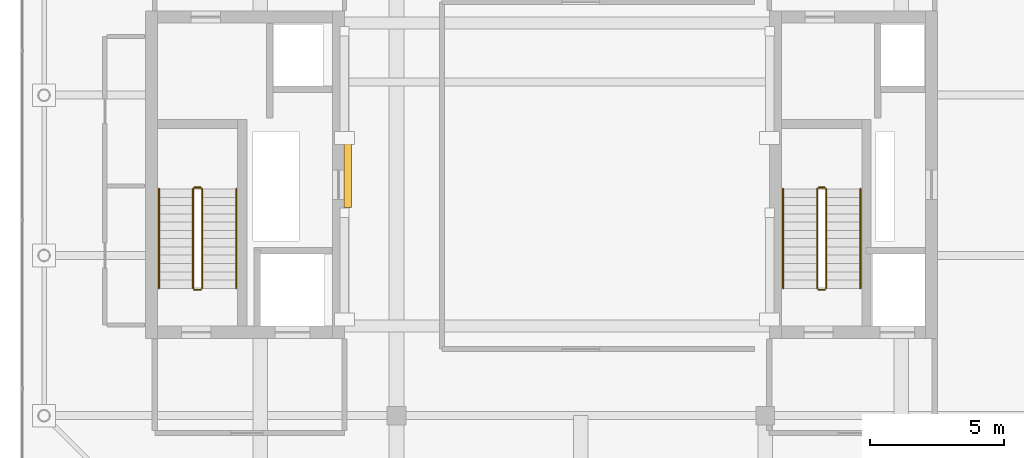
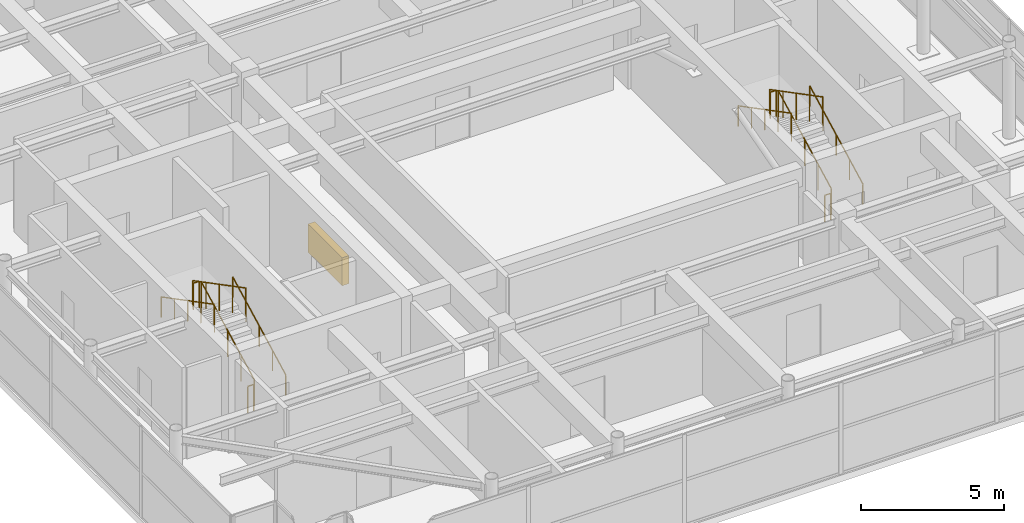
# One storey, part 32 of 32: 12 railings, 1 shading device.
"""IFC4 building model written with IfcOpenShell, lengths in metres."""

from ifc_helpers import new_model, si_unit, direction, frame, origin, origin_2d, place, context, subcontext, project, spatial, rectangle, circle, extrude, source, transform, mapped, material, layer, layer_set, type_object, element, save


model = new_model("IFC4")

# Units and contexts
model_context = context("Model", 3, precision=1e-05, world=origin(), true_north=direction((0.0, 1.0)))
body_context = subcontext(model_context, "Body", "Model", "MODEL_VIEW")
ifc_project = project(units=[si_unit("LENGTHUNIT", "METRE"), si_unit("AREAUNIT", "SQUARE_METRE"), si_unit("VOLUMEUNIT", "CUBIC_METRE"), si_unit("PLANEANGLEUNIT", "RADIAN"), si_unit("MASSUNIT", "GRAM", prefix="KILO")], contexts=[model_context])

# Site, building, storey
site_placement = place(None, origin())
site = spatial("IfcSite", under=ifc_project, at=site_placement, CompositionType="ELEMENT")
building_placement = place(site_placement, origin())
building = spatial("IfcBuilding", under=site, at=building_placement, Name="Khoralis Quay Care Tower", CompositionType="ELEMENT")
storey_placement = place(building_placement, frame((0.0, 0.0, 293.699951171875)))
storey = spatial("IfcBuildingStorey", under=building, at=storey_placement, Name="L77", CompositionType="ELEMENT", Elevation=293.699951171875)

# Railings
ifc_material_1 = material(Name="Brushed stainless steel", Category="steel")
railing_type_1 = type_object("IfcRailingType", Name="RL-GUARD-1150", PredefinedType="GUARDRAIL", material=ifc_material_1)
railing_1_placement = place(storey_placement, frame((9.820068359375, 16.77001953125, 0.16162109375)))
element("IfcRailing", 1, at=railing_1_placement, inside=storey, type_object=railing_type_1, Name="L77 ST-T1 stair guard 1", PredefinedType="GUARDRAIL", context=body_context, shape_type="SweptSolid", body=[
    extrude(circle(Radius=0.02392578125, at=origin_2d()), frame((0.0, 0.0, 1.1259765625), z_axis=(0.0, 0.886817194535, 0.462120399331), x_axis=(-1.0, 0.0, 0.0)), (0.0, 0.0, 1.0), 4.19482421875),
    extrude(circle(Radius=0.02099609375, at=origin_2d()), origin(), (0.0, 0.0, 1.0), 1.101806640625),
    extrude(circle(Radius=0.02099609375, at=origin_2d()), frame((0.0, 0.929931640625, 0.484619140625)), (0.0, 0.0, 1.0), 1.101806640625),
    extrude(circle(Radius=0.02099609375, at=origin_2d()), frame((0.0, 1.85986328125, 0.96923828125)), (0.0, 0.0, 1.0), 1.101806640625),
    extrude(circle(Radius=0.02099609375, at=origin_2d()), frame((0.0, 2.7900390625, 1.453857421875)), (0.0, 0.0, 1.0), 1.101806640625),
    extrude(circle(Radius=0.02099609375, at=origin_2d()), frame((0.0, 3.719970703125, 1.9384765625)), (0.0, 0.0, 1.0), 1.101806640625),
])
railing_2_placement = place(storey_placement, frame((9.77001953125, 20.5400390625, 2.10009765625)))
element("IfcRailing", 2, at=railing_2_placement, inside=storey, type_object=railing_type_1, Name="L77 ST-T1 stair guard 2", PredefinedType="GUARDRAIL", context=body_context, shape_type="SweptSolid", body=[
    extrude(circle(Radius=0.02392578125, at=origin_2d()), frame((0.0, 0.0, 1.1259765625), z_axis=(-1.0, 0.0, 0.0), x_axis=(0.0, -1.0, 0.0)), (0.0, 0.0, 1.0), 0.239990234375),
    extrude(circle(Radius=0.02099609375, at=origin_2d()), origin(), (0.0, 0.0, 1.0), 1.101806640625),
    extrude(circle(Radius=0.02099609375, at=origin_2d()), frame((-0.239990234375, 0.0, 0.0)), (0.0, 0.0, 1.0), 1.101806640625),
])
railing_3_placement = place(storey_placement, frame((9.47998046875, 20.489990234375, 2.261474609375)))
element("IfcRailing", 3, at=railing_3_placement, inside=storey, type_object=railing_type_1, Name="L77 ST-T1 stair guard 3", PredefinedType="GUARDRAIL", context=body_context, shape_type="SweptSolid", body=[
    extrude(circle(Radius=0.02392578125, at=origin_2d()), frame((0.0, 0.0, 1.1259765625), z_axis=(0.0, -0.886817194535, 0.462120399331), x_axis=(1.0, 0.0, 0.0)), (0.0, 0.0, 1.0), 4.19482421875),
    extrude(circle(Radius=0.02099609375, at=origin_2d()), origin(), (0.0, 0.0, 1.0), 1.101806640625),
    extrude(circle(Radius=0.02099609375, at=origin_2d()), frame((0.0, -0.929931640625, 0.484619140625)), (0.0, 0.0, 1.0), 1.101806640625),
    extrude(circle(Radius=0.02099609375, at=origin_2d()), frame((0.0, -1.85986328125, 0.96923828125)), (0.0, 0.0, 1.0), 1.101806640625),
    extrude(circle(Radius=0.02099609375, at=origin_2d()), frame((0.0, -2.7900390625, 1.453857421875)), (0.0, 0.0, 1.0), 1.101806640625),
    extrude(circle(Radius=0.02099609375, at=origin_2d()), frame((0.0, -3.719970703125, 1.9384765625)), (0.0, 0.0, 1.0), 1.101806640625),
])
railing_4_placement = place(storey_placement, frame((9.77001953125, 16.719970703125, 0.0)))
element("IfcRailing", 4, at=railing_4_placement, inside=storey, type_object=railing_type_1, Name="L77 ST-T1 stair guard 4", PredefinedType="GUARDRAIL", context=body_context, shape_type="SweptSolid", body=[
    extrude(circle(Radius=0.02392578125, at=origin_2d()), frame((0.0, 0.0, 1.1259765625), z_axis=(-1.0, 0.0, 0.0), x_axis=(0.0, -1.0, 0.0)), (0.0, 0.0, 1.0), 0.239990234375),
    extrude(circle(Radius=0.02099609375, at=origin_2d()), origin(), (0.0, 0.0, 1.0), 1.101806640625),
    extrude(circle(Radius=0.02099609375, at=origin_2d()), frame((-0.239990234375, 0.0, 0.0)), (0.0, 0.0, 1.0), 1.101806640625),
])
railing_5_placement = place(storey_placement, frame((33.18994140625, 16.77001953125, 0.16162109375)))
element("IfcRailing", 5, at=railing_5_placement, inside=storey, type_object=railing_type_1, Name="L77 ST-T2 stair guard 1", PredefinedType="GUARDRAIL", context=body_context, shape_type="SweptSolid", body=[
    extrude(circle(Radius=0.02392578125, at=origin_2d()), frame((0.0, 0.0, 1.1259765625), z_axis=(0.0, 0.886817194535, 0.462120399331), x_axis=(-1.0, 0.0, 0.0)), (0.0, 0.0, 1.0), 4.19482421875),
    extrude(circle(Radius=0.02099609375, at=origin_2d()), origin(), (0.0, 0.0, 1.0), 1.101806640625),
    extrude(circle(Radius=0.02099609375, at=origin_2d()), frame((0.0, 0.929931640625, 0.484619140625)), (0.0, 0.0, 1.0), 1.101806640625),
    extrude(circle(Radius=0.02099609375, at=origin_2d()), frame((0.0, 1.85986328125, 0.96923828125)), (0.0, 0.0, 1.0), 1.101806640625),
    extrude(circle(Radius=0.02099609375, at=origin_2d()), frame((0.0, 2.7900390625, 1.453857421875)), (0.0, 0.0, 1.0), 1.101806640625),
    extrude(circle(Radius=0.02099609375, at=origin_2d()), frame((0.0, 3.719970703125, 1.9384765625)), (0.0, 0.0, 1.0), 1.101806640625),
])
railing_6_placement = place(storey_placement, frame((33.139892578125, 20.5400390625, 2.10009765625)))
element("IfcRailing", 6, at=railing_6_placement, inside=storey, type_object=railing_type_1, Name="L77 ST-T2 stair guard 2", PredefinedType="GUARDRAIL", context=body_context, shape_type="SweptSolid", body=[
    extrude(circle(Radius=0.02392578125, at=origin_2d()), frame((0.0, 0.0, 1.1259765625), z_axis=(-1.0, 0.0, 0.0), x_axis=(0.0, -1.0, 0.0)), (0.0, 0.0, 1.0), 0.239990234375),
    extrude(circle(Radius=0.02099609375, at=origin_2d()), origin(), (0.0, 0.0, 1.0), 1.101806640625),
    extrude(circle(Radius=0.02099609375, at=origin_2d()), frame((-0.239990234375, 0.0, 0.0)), (0.0, 0.0, 1.0), 1.101806640625),
])
railing_7_placement = place(storey_placement, frame((32.85009765625, 20.489990234375, 2.261474609375)))
element("IfcRailing", 7, at=railing_7_placement, inside=storey, type_object=railing_type_1, Name="L77 ST-T2 stair guard 3", PredefinedType="GUARDRAIL", context=body_context, shape_type="SweptSolid", body=[
    extrude(circle(Radius=0.02392578125, at=origin_2d()), frame((0.0, 0.0, 1.1259765625), z_axis=(0.0, -0.886817194535, 0.462120399331), x_axis=(1.0, 0.0, 0.0)), (0.0, 0.0, 1.0), 4.19482421875),
    extrude(circle(Radius=0.02099609375, at=origin_2d()), origin(), (0.0, 0.0, 1.0), 1.101806640625),
    extrude(circle(Radius=0.02099609375, at=origin_2d()), frame((0.0, -0.929931640625, 0.484619140625)), (0.0, 0.0, 1.0), 1.101806640625),
    extrude(circle(Radius=0.02099609375, at=origin_2d()), frame((0.0, -1.85986328125, 0.96923828125)), (0.0, 0.0, 1.0), 1.101806640625),
    extrude(circle(Radius=0.02099609375, at=origin_2d()), frame((0.0, -2.7900390625, 1.453857421875)), (0.0, 0.0, 1.0), 1.101806640625),
    extrude(circle(Radius=0.02099609375, at=origin_2d()), frame((0.0, -3.719970703125, 1.9384765625)), (0.0, 0.0, 1.0), 1.101806640625),
])
railing_8_placement = place(storey_placement, frame((33.139892578125, 16.719970703125, 0.0)))
element("IfcRailing", 8, at=railing_8_placement, inside=storey, type_object=railing_type_1, Name="L77 ST-T2 stair guard 4", PredefinedType="GUARDRAIL", context=body_context, shape_type="SweptSolid", body=[
    extrude(circle(Radius=0.02392578125, at=origin_2d()), frame((0.0, 0.0, 1.1259765625), z_axis=(-1.0, 0.0, 0.0), x_axis=(0.0, -1.0, 0.0)), (0.0, 0.0, 1.0), 0.239990234375),
    extrude(circle(Radius=0.02099609375, at=origin_2d()), origin(), (0.0, 0.0, 1.0), 1.101806640625),
    extrude(circle(Radius=0.02099609375, at=origin_2d()), frame((-0.239990234375, 0.0, 0.0)), (0.0, 0.0, 1.0), 1.101806640625),
])
railing_type_2 = type_object("IfcRailingType", Name="RL-HAND-900", PredefinedType="HANDRAIL", material=ifc_material_1)
railing_9_placement = place(storey_placement, frame((11.10009765625, 16.77001953125, 0.16162109375)))
element("IfcRailing", 9, at=railing_9_placement, inside=storey, type_object=railing_type_2, Name="L77 ST-T1 stair handrail 1", PredefinedType="HANDRAIL", context=body_context, shape_type="SweptSolid", body=[
    extrude(circle(Radius=0.02392578125, at=origin_2d()), frame((0.0, 0.0, 0.8759765625), z_axis=(0.0, 0.886817194535, 0.462120399331), x_axis=(-1.0, 0.0, 0.0)), (0.0, 0.0, 1.0), 4.19482421875),
    extrude(circle(Radius=0.02099609375, at=origin_2d()), origin(), (0.0, 0.0, 1.0), 0.851806640625),
    extrude(circle(Radius=0.02099609375, at=origin_2d()), frame((0.0, 0.929931640625, 0.484619140625)), (0.0, 0.0, 1.0), 0.851806640625),
    extrude(circle(Radius=0.02099609375, at=origin_2d()), frame((0.0, 1.85986328125, 0.96923828125)), (0.0, 0.0, 1.0), 0.851806640625),
    extrude(circle(Radius=0.02099609375, at=origin_2d()), frame((0.0, 2.7900390625, 1.453857421875)), (0.0, 0.0, 1.0), 0.851806640625),
    extrude(circle(Radius=0.02099609375, at=origin_2d()), frame((0.0, 3.719970703125, 1.9384765625)), (0.0, 0.0, 1.0), 0.851806640625),
])
railing_10_placement = place(storey_placement, frame((8.199951171875, 20.489990234375, 2.261474609375)))
element("IfcRailing", 10, at=railing_10_placement, inside=storey, type_object=railing_type_2, Name="L77 ST-T1 stair handrail 2", PredefinedType="HANDRAIL", context=body_context, shape_type="SweptSolid", body=[
    extrude(circle(Radius=0.02392578125, at=origin_2d()), frame((0.0, 0.0, 0.8759765625), z_axis=(0.0, -0.886817194535, 0.462120399331), x_axis=(1.0, 0.0, 0.0)), (0.0, 0.0, 1.0), 4.19482421875),
    extrude(circle(Radius=0.02099609375, at=origin_2d()), origin(), (0.0, 0.0, 1.0), 0.851806640625),
    extrude(circle(Radius=0.02099609375, at=origin_2d()), frame((0.0, -0.929931640625, 0.484619140625)), (0.0, 0.0, 1.0), 0.851806640625),
    extrude(circle(Radius=0.02099609375, at=origin_2d()), frame((0.0, -1.85986328125, 0.96923828125)), (0.0, 0.0, 1.0), 0.851806640625),
    extrude(circle(Radius=0.02099609375, at=origin_2d()), frame((0.0, -2.7900390625, 1.453857421875)), (0.0, 0.0, 1.0), 0.851806640625),
    extrude(circle(Radius=0.02099609375, at=origin_2d()), frame((0.0, -3.719970703125, 1.9384765625)), (0.0, 0.0, 1.0), 0.851806640625),
])
railing_11_placement = place(storey_placement, frame((34.469970703125, 16.77001953125, 0.16162109375)))
element("IfcRailing", 11, at=railing_11_placement, inside=storey, type_object=railing_type_2, Name="L77 ST-T2 stair handrail 1", PredefinedType="HANDRAIL", context=body_context, shape_type="SweptSolid", body=[
    extrude(circle(Radius=0.02392578125, at=origin_2d()), frame((0.0, 0.0, 0.8759765625), z_axis=(0.0, 0.886817194535, 0.462120399331), x_axis=(-1.0, 0.0, 0.0)), (0.0, 0.0, 1.0), 4.19482421875),
    extrude(circle(Radius=0.02099609375, at=origin_2d()), origin(), (0.0, 0.0, 1.0), 0.851806640625),
    extrude(circle(Radius=0.02099609375, at=origin_2d()), frame((0.0, 0.929931640625, 0.484619140625)), (0.0, 0.0, 1.0), 0.851806640625),
    extrude(circle(Radius=0.02099609375, at=origin_2d()), frame((0.0, 1.85986328125, 0.96923828125)), (0.0, 0.0, 1.0), 0.851806640625),
    extrude(circle(Radius=0.02099609375, at=origin_2d()), frame((0.0, 2.7900390625, 1.453857421875)), (0.0, 0.0, 1.0), 0.851806640625),
    extrude(circle(Radius=0.02099609375, at=origin_2d()), frame((0.0, 3.719970703125, 1.9384765625)), (0.0, 0.0, 1.0), 0.851806640625),
])
railing_12_placement = place(storey_placement, frame((31.570068359375, 20.489990234375, 2.261474609375)))
element("IfcRailing", 12, at=railing_12_placement, inside=storey, type_object=railing_type_2, Name="L77 ST-T2 stair handrail 2", PredefinedType="HANDRAIL", context=body_context, shape_type="SweptSolid", body=[
    extrude(circle(Radius=0.02392578125, at=origin_2d()), frame((0.0, 0.0, 0.8759765625), z_axis=(0.0, -0.886817194535, 0.462120399331), x_axis=(1.0, 0.0, 0.0)), (0.0, 0.0, 1.0), 4.19482421875),
    extrude(circle(Radius=0.02099609375, at=origin_2d()), origin(), (0.0, 0.0, 1.0), 0.851806640625),
    extrude(circle(Radius=0.02099609375, at=origin_2d()), frame((0.0, -0.929931640625, 0.484619140625)), (0.0, 0.0, 1.0), 0.851806640625),
    extrude(circle(Radius=0.02099609375, at=origin_2d()), frame((0.0, -1.85986328125, 0.96923828125)), (0.0, 0.0, 1.0), 0.851806640625),
    extrude(circle(Radius=0.02099609375, at=origin_2d()), frame((0.0, -2.7900390625, 1.453857421875)), (0.0, 0.0, 1.0), 0.851806640625),
    extrude(circle(Radius=0.02099609375, at=origin_2d()), frame((0.0, -3.719970703125, 1.9384765625)), (0.0, 0.0, 1.0), 0.851806640625),
])

# Shading device
ifc_material_2 = material(Name="Brushed pale anodised aluminium", Category="aluminium")
ifc_layer = layer(ifc_material_2, 0.080078125)
ifc_layer_set = layer_set([ifc_layer], Name="Brushed pale anodised aluminium")
shading_device_type = type_object("IfcShadingDeviceType", Name="SHD-LOUVRE-300", PredefinedType="USERDEFINED", material=ifc_layer_set)
shared_shape = source(origin(), body_context, "Body", "SweptSolid", [
    extrude(rectangle(XDim=0.280029296875, YDim=2.39990234375, at=origin_2d()), origin(), (0.0, 0.0, 1.0), 1.199951171875),
])
shading_device_placement = place(storey_placement, frame((15.27001953125, 21.0, 1.60009765625), z_axis=(0.0, 0.0, 1.0), x_axis=(1.0, 0.0, 0.0)))
element("IfcShadingDevice", 13, at=shading_device_placement, inside=storey, type_object=shading_device_type, Name="L77 Lantern Acoustic Intake Louvre", ObjectType="LOUVRE", PredefinedType="USERDEFINED", context=body_context, shape_type="MappedRepresentation", body=[
    mapped(shared_shape, transform((0.0, 0.0, 0.0), scale=1.0)),
])

save(model, "model.ifc")
